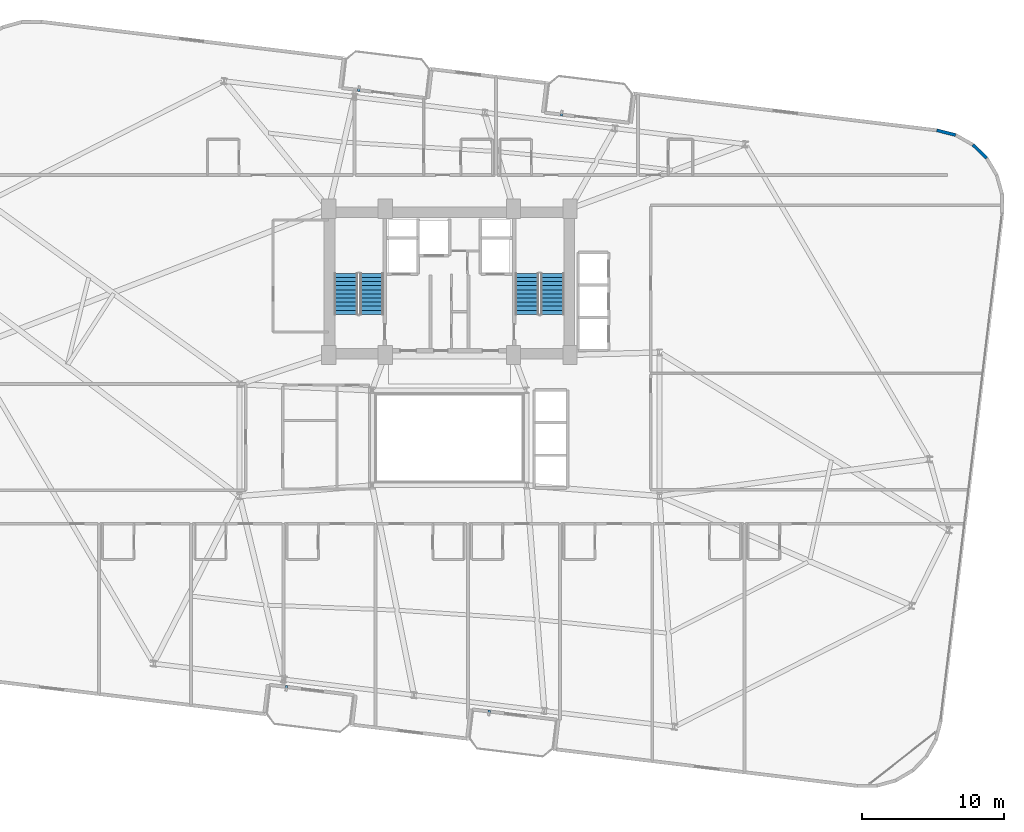
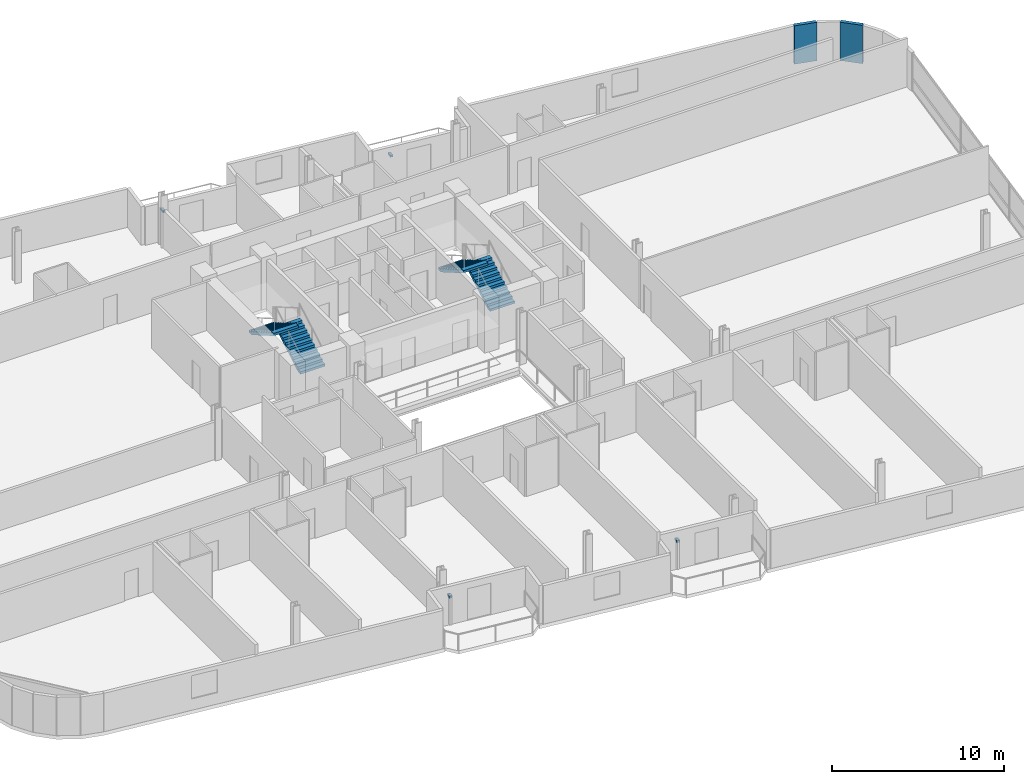
# One storey, part 24 of 26: 4 discrete accessories, 4 stair flights, 2 walls, 2 elements without a shape of their own.
"""IFC4 building model written with IfcOpenShell, lengths in metres."""

from ifc_helpers import new_model, si_unit, direction, frame, frame_2d, origin, origin_2d, place, context, subcontext, project, spatial, polyline, rectangle, outline, extrude, source, transform, mapped, material, layer, layer_set, type_object, element, aggregate, save


model = new_model("IFC4")

# Units and contexts
model_context = context("Model", 3, precision=1e-05, world=origin(), true_north=direction((0.0, 1.0)))
body_context = subcontext(model_context, "Body", "Model", "MODEL_VIEW")
ifc_project = project(units=[si_unit("LENGTHUNIT", "METRE"), si_unit("AREAUNIT", "SQUARE_METRE"), si_unit("VOLUMEUNIT", "CUBIC_METRE"), si_unit("PLANEANGLEUNIT", "RADIAN"), si_unit("MASSUNIT", "GRAM", prefix="KILO")], contexts=[model_context])

# Site, building, storey
site_placement = place(None, origin())
site = spatial("IfcSite", under=ifc_project, at=site_placement, CompositionType="ELEMENT")
building_placement = place(site_placement, origin())
building = spatial("IfcBuilding", under=site, at=building_placement, Name="Varnelok Gate Tower", CompositionType="ELEMENT")
storey_placement = place(building_placement, frame((0.0, 0.0, 121.699951171875)))
storey = spatial("IfcBuildingStorey", under=building, at=storey_placement, Name="L30", CompositionType="ELEMENT", Elevation=121.699951171875)

# Walls
ifc_material_1 = material(Name="Concrete C45/55", Category="concrete")
ifc_layer = layer(ifc_material_1, 0.219970703125)
ifc_layer_set = layer_set([ifc_layer], Name="Concrete C45/55")
wall_type = type_object("IfcWallType", Name="EW-BALC-220", PredefinedType="SOLIDWALL", material=ifc_layer_set)
wall_1_placement = place(storey_placement, frame((77.072265625, 42.6162109375, 0.0), z_axis=(0.0, 0.0, 1.0), x_axis=(-0.714376989847, 0.69976104234, 0.0)))
element("IfcWall", 1, at=wall_1_placement, inside=storey, type_object=wall_type, Name="L30 Perimeter Facade Closure Wall 23", PredefinedType="SOLIDWALL", context=body_context, shape_type="SweptSolid", body=[
    extrude(rectangle(XDim=1.35302734375, YDim=0.219970703125, at=frame_2d((0.676513671875, 0.0))), origin(), (0.0, 0.0, 1.0), 2.72998046875),
])
wall_2_placement = place(storey_placement, frame((74.880859375, 44.24609375, 0.0), z_axis=(0.0, 0.0, 1.0), x_axis=(-0.968549775063, 0.248819881091, 0.0)))
element("IfcWall", 2, at=wall_2_placement, inside=storey, type_object=wall_type, Name="L30 Perimeter Facade Closure Wall 25", PredefinedType="SOLIDWALL", context=body_context, shape_type="SweptSolid", body=[
    extrude(rectangle(XDim=1.36083984375, YDim=0.219970703125, at=frame_2d((0.680419921875, 0.0))), origin(), (0.0, 0.0, 1.0), 2.72998046875),
])

# Stair, stair flights
ifc_material_2 = material(Name="Concrete C50/60", Category="concrete")
stair_type = type_object("IfcStairType", Name="STR-CORE-1650", PredefinedType="HALF_TURN_STAIR", material=ifc_material_2)
stair_1_placement = place(storey_placement, origin())
stair_1 = element("IfcStair", 3, at=stair_1_placement, inside=storey, type_object=stair_type, Name="L30 Exit Stair ST-1", PredefinedType="HALF_TURN_STAIR")
stair_flight_type = type_object("IfcStairFlightType", Name="SFL-CORE-1650", PredefinedType="STRAIGHT", material=ifc_material_2)
stair_flight_1_placement = place(storey_placement, frame((33.72509765625, 31.60009765625, 0.0), z_axis=(0.0, 0.0, 1.0), x_axis=(0.0, 1.0, 0.0)))
stair_flight_1 = element("IfcStairFlight", 4, at=stair_flight_1_placement, type_object=stair_flight_type, Name="ST-1 flight 1", NumberOfRisers=11, NumberOfTreads=10, PredefinedType="STRAIGHT", RiserHeight=0.168181818, TreadLength=0.29, context=body_context, shape_type="SweptSolid", body=[
    extrude(outline(polyline([(0.0, 0.0), (0.0, 0.168212890625), (0.2900390625, 0.168212890625), (0.2900390625, 0.33642578125), (0.580078125, 0.33642578125), (0.580078125, 0.504638671875), (0.8701171875, 0.504638671875), (0.8701171875, 0.672607421875), (1.159912109375, 0.672607421875), (1.159912109375, 0.8408203125), (1.449951171875, 0.8408203125), (1.449951171875, 1.009033203125), (1.739990234375, 1.009033203125), (1.739990234375, 1.17724609375), (2.030029296875, 1.17724609375), (2.030029296875, 1.345458984375), (2.320068359375, 1.345458984375), (2.320068359375, 1.513671875), (2.610107421875, 1.513671875), (2.610107421875, 1.681884765625), (2.89990234375, 1.681884765625), (2.89990234375, 1.85009765625), (2.89990234375, 1.508544921875), (0.298828125, 0.0), (0.0, 0.0)])), frame((0.0, 0.824951171875, 0.0), z_axis=(0.0, -1.0, 0.0), x_axis=(1.0, 0.0, 0.0)), (0.0, 0.0, 1.0), 1.64990234375),
])
stair_flight_2_placement = place(storey_placement, frame((31.925048828125, 34.5, 1.85009765625), z_axis=(0.0, 0.0, 1.0), x_axis=(0.0, -1.0, 0.0)))
stair_flight_2 = element("IfcStairFlight", 5, at=stair_flight_2_placement, type_object=stair_flight_type, Name="ST-1 flight 2", NumberOfRisers=11, NumberOfTreads=10, PredefinedType="STRAIGHT", RiserHeight=0.168181818, TreadLength=0.29, context=body_context, shape_type="SweptSolid", body=[
    extrude(outline(polyline([(0.0, 0.0), (0.0, 0.168212890625), (0.2900390625, 0.168212890625), (0.2900390625, 0.33642578125), (0.580078125, 0.33642578125), (0.580078125, 0.504638671875), (0.8701171875, 0.504638671875), (0.8701171875, 0.672607421875), (1.159912109375, 0.672607421875), (1.159912109375, 0.8408203125), (1.449951171875, 0.8408203125), (1.449951171875, 1.009033203125), (1.739990234375, 1.009033203125), (1.739990234375, 1.17724609375), (2.030029296875, 1.17724609375), (2.030029296875, 1.345458984375), (2.320068359375, 1.345458984375), (2.320068359375, 1.513671875), (2.610107421875, 1.513671875), (2.610107421875, 1.681884765625), (2.89990234375, 1.681884765625), (2.89990234375, 1.85009765625), (2.89990234375, 1.508544921875), (0.298828125, 0.0), (0.0, 0.0)])), frame((0.0, 0.824951171875, 0.0), z_axis=(0.0, -1.0, 0.0), x_axis=(1.0, 0.0, 0.0)), (0.0, 0.0, 1.0), 1.64990234375),
])
aggregate(stair_1, [stair_flight_1, stair_flight_2])

stair_2_placement = place(storey_placement, origin())
stair_2 = element("IfcStair", 6, at=stair_2_placement, inside=storey, type_object=stair_type, Name="L30 Exit Stair ST-2", PredefinedType="HALF_TURN_STAIR")
stair_flight_3_placement = place(storey_placement, frame((46.47509765625, 31.60009765625, 0.0), z_axis=(0.0, 0.0, 1.0), x_axis=(0.0, 1.0, 0.0)))
stair_flight_3 = element("IfcStairFlight", 7, at=stair_flight_3_placement, type_object=stair_flight_type, Name="ST-2 flight 1", NumberOfRisers=11, NumberOfTreads=10, PredefinedType="STRAIGHT", RiserHeight=0.168181818, TreadLength=0.29, context=body_context, shape_type="SweptSolid", body=[
    extrude(outline(polyline([(0.0, 0.0), (0.0, 0.168212890625), (0.2900390625, 0.168212890625), (0.2900390625, 0.33642578125), (0.580078125, 0.33642578125), (0.580078125, 0.504638671875), (0.8701171875, 0.504638671875), (0.8701171875, 0.672607421875), (1.159912109375, 0.672607421875), (1.159912109375, 0.8408203125), (1.449951171875, 0.8408203125), (1.449951171875, 1.009033203125), (1.739990234375, 1.009033203125), (1.739990234375, 1.17724609375), (2.030029296875, 1.17724609375), (2.030029296875, 1.345458984375), (2.320068359375, 1.345458984375), (2.320068359375, 1.513671875), (2.610107421875, 1.513671875), (2.610107421875, 1.681884765625), (2.89990234375, 1.681884765625), (2.89990234375, 1.85009765625), (2.89990234375, 1.508544921875), (0.298828125, 0.0), (0.0, 0.0)])), frame((0.0, 0.824951171875, 0.0), z_axis=(0.0, -1.0, 0.0), x_axis=(1.0, 0.0, 0.0)), (0.0, 0.0, 1.0), 1.64990234375),
])
stair_flight_4_placement = place(storey_placement, frame((44.675048828125, 34.5, 1.85009765625), z_axis=(0.0, 0.0, 1.0), x_axis=(0.0, -1.0, 0.0)))
stair_flight_4 = element("IfcStairFlight", 8, at=stair_flight_4_placement, type_object=stair_flight_type, Name="ST-2 flight 2", NumberOfRisers=11, NumberOfTreads=10, PredefinedType="STRAIGHT", RiserHeight=0.168181818, TreadLength=0.29, context=body_context, shape_type="SweptSolid", body=[
    extrude(outline(polyline([(0.0, 0.0), (0.0, 0.168212890625), (0.2900390625, 0.168212890625), (0.2900390625, 0.33642578125), (0.580078125, 0.33642578125), (0.580078125, 0.504638671875), (0.8701171875, 0.504638671875), (0.8701171875, 0.672607421875), (1.159912109375, 0.672607421875), (1.159912109375, 0.8408203125), (1.449951171875, 0.8408203125), (1.449951171875, 1.009033203125), (1.739990234375, 1.009033203125), (1.739990234375, 1.17724609375), (2.030029296875, 1.17724609375), (2.030029296875, 1.345458984375), (2.320068359375, 1.345458984375), (2.320068359375, 1.513671875), (2.610107421875, 1.513671875), (2.610107421875, 1.681884765625), (2.89990234375, 1.681884765625), (2.89990234375, 1.85009765625), (2.89990234375, 1.508544921875), (0.298828125, 0.0), (0.0, 0.0)])), frame((0.0, 0.824951171875, 0.0), z_axis=(0.0, -1.0, 0.0), x_axis=(1.0, 0.0, 0.0)), (0.0, 0.0, 1.0), 1.64990234375),
])
aggregate(stair_2, [stair_flight_3, stair_flight_4])

# Discrete accessories
ifc_material_3 = material(Name="Structural Steel ASTM A500 Grade C", Category="steel")
discrete_accessory_type = type_object("IfcDiscreteAccessoryType", Name="ACC-BAGUETTE-BRK", PredefinedType="BRACKET", material=ifc_material_3)
shared_shape = source(origin(), body_context, "Body", "SweptSolid", [
    extrude(rectangle(XDim=0.159912109375, YDim=0.340087890625, at=origin_2d()), origin(), (0.0, 0.0, 1.0), 0.139892578125),
])
for number, where, z_axis, x_axis, name in (
    (9, (27.705810546875, 5.267578125, 1.97998046875), (0.0, 0.0, 1.0), (0.992732158755, -0.12034475881, 0.0), "L30 Terracotta Baguette Bracket 1.1"),
    (10, (42.0009765625, 3.53466796875, 1.97998046875), (0.0, 0.0, 1.0), (0.992732158755, -0.12034475881, 0.0), "L30 Terracotta Baguette Bracket 2.1"),
    (11, (32.8251953125, 47.49853515625, 1.97998046875), (0.0, 0.0, 1.0), (0.992732158755, -0.12034475881, 0.0), "L30 Terracotta Baguette Bracket 3.1"),
    (12, (47.12060546875, 45.765625, 1.97998046875), (0.0, 0.0, 1.0), (0.992732158755, -0.12034475881, 0.0), "L30 Terracotta Baguette Bracket 4.1"),
):
    element("IfcDiscreteAccessory", number, at=place(storey_placement, frame(where, z_axis=z_axis, x_axis=x_axis)), inside=storey, type_object=discrete_accessory_type, Name=name, PredefinedType="BRACKET", context=body_context, shape_type="MappedRepresentation", body=[
        mapped(shared_shape, transform((0.0, 0.0, 0.0), scale=1.0)),
    ])

save(model, "model.ifc")
